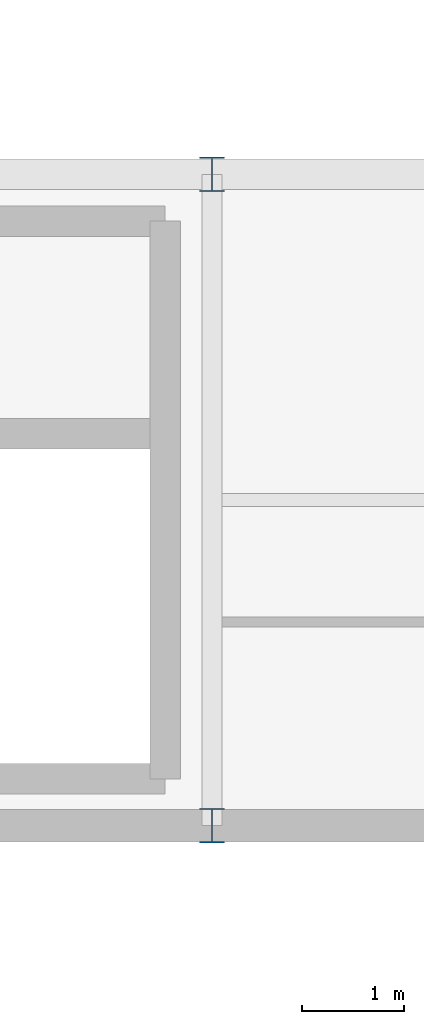
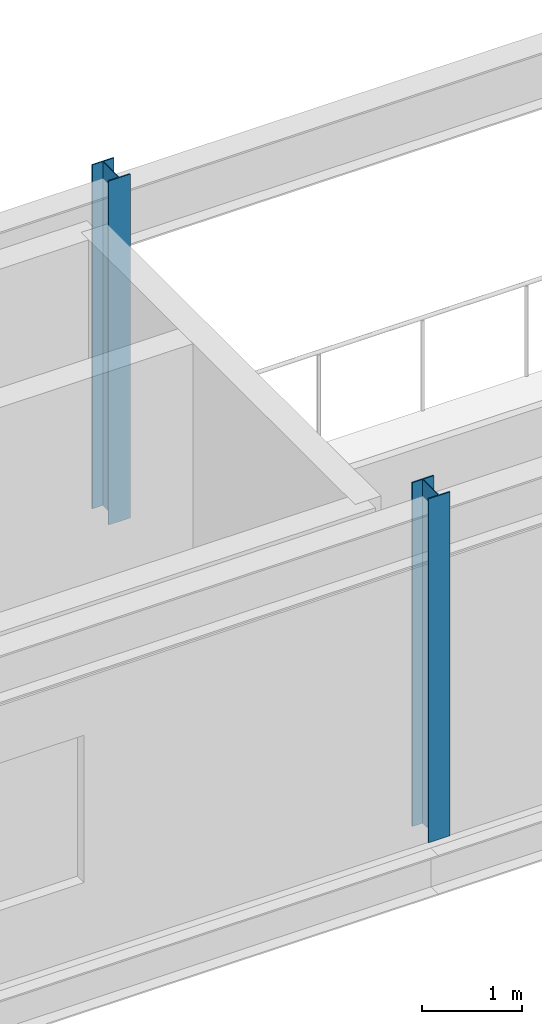
# One storey, part 4 of 39: 2 columns.
"""IFC4 building model written with IfcOpenShell, lengths in metres."""

from ifc_helpers import new_model, si_unit, direction, frame, origin, origin_2d, place, context, subcontext, project, spatial, i_section, extrude, material, material_profile, profile_set, type_object, element, save


model = new_model("IFC4")

# Units and contexts
model_context = context("Model", 3, precision=1e-05, world=origin(), true_north=direction((0.0, 1.0)))
body_context = subcontext(model_context, "Body", "Model", "MODEL_VIEW")
ifc_project = project(units=[si_unit("LENGTHUNIT", "METRE"), si_unit("AREAUNIT", "SQUARE_METRE"), si_unit("VOLUMEUNIT", "CUBIC_METRE"), si_unit("PLANEANGLEUNIT", "RADIAN"), si_unit("MASSUNIT", "GRAM", prefix="KILO")], contexts=[model_context])

# Site, building, storey
site_placement = place(None, origin())
site = spatial("IfcSite", under=ifc_project, at=site_placement, CompositionType="ELEMENT")
building_placement = place(site_placement, origin())
building = spatial("IfcBuilding", under=site, at=building_placement, Name="Kazenagashi Tramway Depot", CompositionType="ELEMENT")
storey_placement = place(building_placement, frame((0.0, 0.0, 11.1)))
storey = spatial("IfcBuildingStorey", under=building, at=storey_placement, Name="L03", CompositionType="ELEMENT", Elevation=11.1)

# Columns
ifc_material = material(Name="Steel SN490B", Category="steel")
ifc_material_profile = material_profile(ifc_material, i_section(OverallWidth=0.25, OverallDepth=0.34, WebThickness=0.009, FlangeThickness=0.014, at=origin_2d()), Name="H-340x250x9x14")
ifc_profile_set = profile_set([ifc_material_profile], Name="Steel SN490B")
column_type = type_object("IfcColumnType", Name="C-20", PredefinedType="COLUMN", material=ifc_profile_set)
for number, where, z_axis, x_axis, name in (
    (1, (61.6, 16.5, 0.0), (0.0, 0.0, 1.0), (1.0, 0.0, 0.0), "Column C-20 COL-0180"),
    (2, (61.6, 22.9, 0.0), (0.0, 0.0, 1.0), (1.0, 0.0, 0.0), "Column C-20 COL-0184"),
):
    element("IfcColumn", number, at=place(storey_placement, frame(where, z_axis=z_axis, x_axis=x_axis)), inside=storey, type_object=column_type, Name=name, PredefinedType="COLUMN", context=body_context, shape_type="SweptSolid", body=[
        extrude(i_section(OverallWidth=0.25, OverallDepth=0.34, WebThickness=0.009, FlangeThickness=0.014, at=origin_2d()), origin(), (0.0, 0.0, 1.0), 4.2),
    ])

save(model, "model.ifc")
